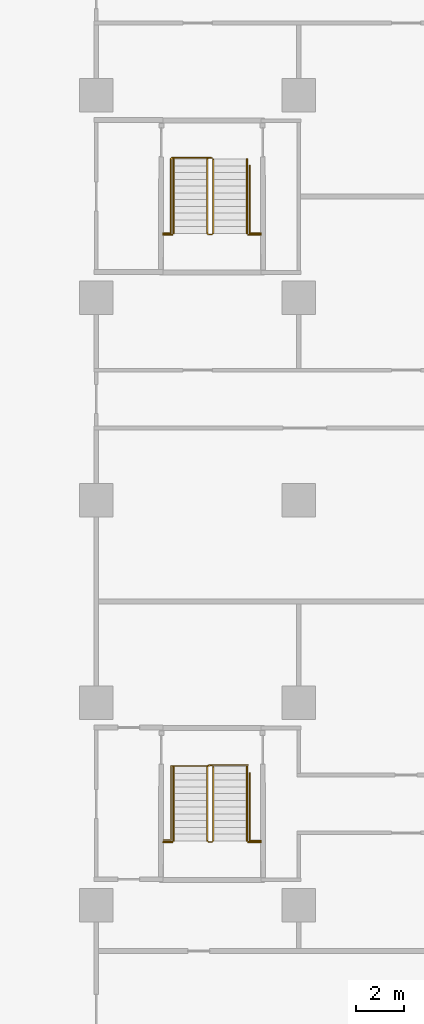
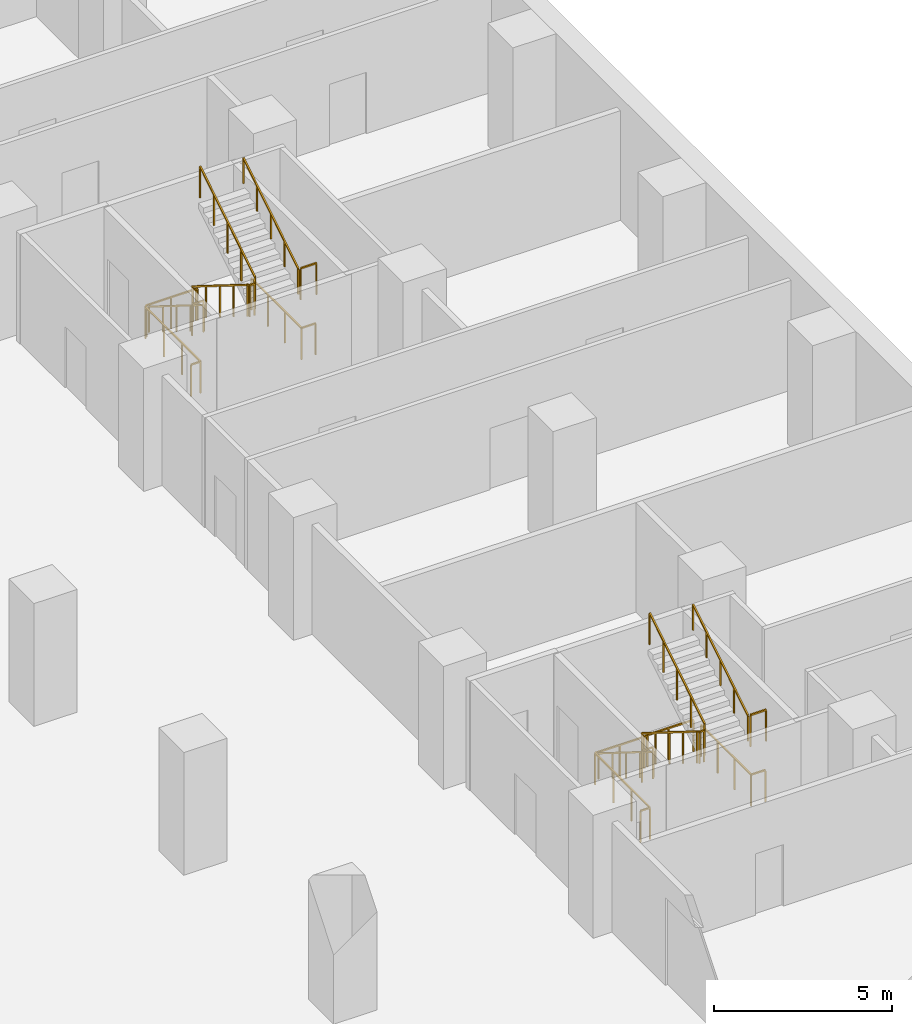
# One storey, part 15 of 17: 14 railings.
"""IFC4 building model written with IfcOpenShell, lengths in metres."""

from ifc_helpers import new_model, si_unit, direction, frame, origin, origin_2d, place, context, subcontext, project, spatial, rectangle, extrude, material, type_object, element, save


model = new_model("IFC4")

# Units and contexts
model_context = context("Model", 3, precision=1e-05, world=origin(), true_north=direction((0.0, 1.0)))
body_context = subcontext(model_context, "Body", "Model", "MODEL_VIEW")
ifc_project = project(units=[si_unit("LENGTHUNIT", "METRE"), si_unit("AREAUNIT", "SQUARE_METRE"), si_unit("VOLUMEUNIT", "CUBIC_METRE"), si_unit("PLANEANGLEUNIT", "RADIAN"), si_unit("MASSUNIT", "GRAM", prefix="KILO")], contexts=[model_context])

# Site, building, storey
site_placement = place(None, origin())
site = spatial("IfcSite", under=ifc_project, at=site_placement, CompositionType="ELEMENT")
building_placement = place(site_placement, origin())
building = spatial("IfcBuilding", under=site, at=building_placement, Name="Vermilion Ogive Tower", CompositionType="ELEMENT")
storey_placement = place(building_placement, frame((0.0, 0.0, -4.199951171875)))
storey = spatial("IfcBuildingStorey", under=building, at=storey_placement, Name="B1", CompositionType="ELEMENT", Elevation=-4.199951171875)

# Railings
ifc_material_1 = material(Name="Steel S355 painted", Category="steel")
railing_type_1 = type_object("IfcRailingType", Name="Stair guard 1100", PredefinedType="GUARDRAIL", material=ifc_material_1)
railing_1_placement = place(storey_placement, frame((46.800048828125, 1.60009765625, 0.0)))
element("IfcRailing", 1, at=railing_1_placement, inside=storey, type_object=railing_type_1, Name="B1 PEC stair guard 4", PredefinedType="GUARDRAIL", context=body_context, shape_type="SweptSolid", body=[
    extrude(rectangle(XDim=0.048095703125, YDim=0.048095703125, at=origin_2d()), frame((0.0, 0.0, 1.076171875), z_axis=(-1.0, 0.0, 0.0), x_axis=(0.0, -1.0, 0.0)), (0.0, 0.0, 1.0), 0.150146484375),
    extrude(rectangle(XDim=0.048095703125, YDim=0.048095703125, at=origin_2d()), frame((-0.150146484375, 0.0, 1.076171875), z_axis=(-0.263862480399, -0.265155923931, 0.927399011991), x_axis=(0.708833529934, -0.705375805398, 0.0)), (0.0, 0.0, 1.0), 0.188720703125),
    extrude(rectangle(XDim=0.048095703125, YDim=0.048095703125, at=origin_2d()), frame((-0.199951171875, -0.050048828125, 1.2509765625), z_axis=(0.0, -0.848028513186, 0.529950602248), x_axis=(1.0, 0.0, 0.0)), (0.0, 0.0, 1.0), 3.632080078125),
    extrude(rectangle(XDim=0.048095703125, YDim=0.048095703125, at=origin_2d()), frame((-0.199951171875, -3.130126953125, 3.17578125), z_axis=(0.705375805398, -0.708833529934, 0.0), x_axis=(0.708833529934, 0.705375805398, 0.0)), (0.0, 0.0, 1.0), 0.070556640625),
    extrude(rectangle(XDim=0.048095703125, YDim=0.048095703125, at=origin_2d()), frame((-0.150146484375, -3.18017578125, 3.17578125), z_axis=(1.0, 0.0, 0.0), x_axis=(0.0, 1.0, 0.0)), (0.0, 0.0, 1.0), 0.150146484375),
    extrude(rectangle(XDim=0.048095703125, YDim=0.048095703125, at=origin_2d()), frame((0.0, -3.18017578125, 3.17578125), z_axis=(0.265065253269, 0.265065253269, 0.927081885822), x_axis=(-0.707106781187, 0.707106781187, 0.0)), (0.0, 0.0, 1.0), 0.188720703125),
    extrude(rectangle(XDim=0.048095703125, YDim=0.048095703125, at=origin_2d()), frame((0.050048828125, -3.130126953125, 3.35107421875), z_axis=(0.0, 0.847998304005, 0.529998940003), x_axis=(-1.0, 0.0, 0.0)), (0.0, 0.0, 1.0), 3.632080078125),
    extrude(rectangle(XDim=0.0419921875, YDim=0.0419921875, at=origin_2d()), origin(), (0.0, 0.0, 1.0), 1.052001953125),
    extrude(rectangle(XDim=0.0419921875, YDim=0.0419921875, at=origin_2d()), frame((-0.150146484375, 0.0, 0.0)), (0.0, 0.0, 1.0), 1.052001953125),
    extrude(rectangle(XDim=0.0419921875, YDim=0.0419921875, at=origin_2d()), frame((-0.199951171875, -0.050048828125, 0.175048828125)), (0.0, 0.0, 1.0), 1.052001953125),
    extrude(rectangle(XDim=0.0419921875, YDim=0.0419921875, at=origin_2d()), frame((-0.199951171875, -0.820068359375, 0.65625)), (0.0, 0.0, 1.0), 1.052001953125),
    extrude(rectangle(XDim=0.0419921875, YDim=0.0419921875, at=origin_2d()), frame((-0.199951171875, -1.590087890625, 1.137451171875)), (0.0, 0.0, 1.0), 1.052001953125),
    extrude(rectangle(XDim=0.0419921875, YDim=0.0419921875, at=origin_2d()), frame((-0.199951171875, -2.360107421875, 1.61865234375)), (0.0, 0.0, 1.0), 1.052001953125),
    extrude(rectangle(XDim=0.0419921875, YDim=0.0419921875, at=origin_2d()), frame((-0.199951171875, -3.130126953125, 2.099853515625)), (0.0, 0.0, 1.0), 1.052001953125),
    extrude(rectangle(XDim=0.0419921875, YDim=0.0419921875, at=origin_2d()), frame((-0.150146484375, -3.18017578125, 2.099853515625)), (0.0, 0.0, 1.0), 1.052001953125),
    extrude(rectangle(XDim=0.0419921875, YDim=0.0419921875, at=origin_2d()), frame((0.0, -3.18017578125, 2.099853515625)), (0.0, 0.0, 1.0), 1.052001953125),
    extrude(rectangle(XDim=0.0419921875, YDim=0.0419921875, at=origin_2d()), frame((0.050048828125, -3.130126953125, 2.27490234375)), (0.0, 0.0, 1.0), 1.052001953125),
    extrude(rectangle(XDim=0.0419921875, YDim=0.0419921875, at=origin_2d()), frame((0.050048828125, -2.360107421875, 2.756103515625)), (0.0, 0.0, 1.0), 1.052001953125),
    extrude(rectangle(XDim=0.0419921875, YDim=0.0419921875, at=origin_2d()), frame((0.050048828125, -1.590087890625, 3.2373046875)), (0.0, 0.0, 1.0), 1.052001953125),
    extrude(rectangle(XDim=0.0419921875, YDim=0.0419921875, at=origin_2d()), frame((0.050048828125, -0.820068359375, 3.71875)), (0.0, 0.0, 1.0), 1.052001953125),
    extrude(rectangle(XDim=0.0419921875, YDim=0.0419921875, at=origin_2d()), frame((0.050048828125, -0.050048828125, 4.199951171875)), (0.0, 0.0, 1.0), 1.052001953125),
])
railing_2_placement = place(storey_placement, frame((46.800048828125, -23.60009765625, 0.0)))
element("IfcRailing", 2, at=railing_2_placement, inside=storey, type_object=railing_type_1, Name="B1 PES stair guard 4", PredefinedType="GUARDRAIL", context=body_context, shape_type="SweptSolid", body=[
    extrude(rectangle(XDim=0.048095703125, YDim=0.048095703125, at=origin_2d()), frame((0.0, 0.0, 1.076171875), z_axis=(-1.0, 0.0, 0.0), x_axis=(0.0, -1.0, 0.0)), (0.0, 0.0, 1.0), 0.150146484375),
    extrude(rectangle(XDim=0.048095703125, YDim=0.048095703125, at=origin_2d()), frame((-0.150146484375, 0.0, 1.076171875), z_axis=(-0.263952801422, -0.263952801422, 0.92771646382), x_axis=(0.707106781187, -0.707106781187, 0.0)), (0.0, 0.0, 1.0), 0.188720703125),
    extrude(rectangle(XDim=0.048095703125, YDim=0.048095703125, at=origin_2d()), frame((-0.199951171875, -0.0498046875, 1.2509765625), z_axis=(0.0, -0.848028513186, 0.529950602248), x_axis=(1.0, 0.0, 0.0)), (0.0, 0.0, 1.0), 3.632080078125),
    extrude(rectangle(XDim=0.048095703125, YDim=0.048095703125, at=origin_2d()), frame((-0.199951171875, -3.1298828125, 3.17578125), z_axis=(0.705375805398, -0.708833529934, 0.0), x_axis=(0.708833529934, 0.705375805398, 0.0)), (0.0, 0.0, 1.0), 0.070556640625),
    extrude(rectangle(XDim=0.048095703125, YDim=0.048095703125, at=origin_2d()), frame((-0.150146484375, -3.179931640625, 3.17578125), z_axis=(1.0, 0.0, 0.0), x_axis=(0.0, 1.0, 0.0)), (0.0, 0.0, 1.0), 0.150146484375),
    extrude(rectangle(XDim=0.048095703125, YDim=0.048095703125, at=origin_2d()), frame((0.0, -3.179931640625, 3.17578125), z_axis=(0.265065253269, 0.265065253269, 0.927081885822), x_axis=(-0.707106781187, 0.707106781187, 0.0)), (0.0, 0.0, 1.0), 0.188720703125),
    extrude(rectangle(XDim=0.048095703125, YDim=0.048095703125, at=origin_2d()), frame((0.050048828125, -3.1298828125, 3.35107421875), z_axis=(0.0, 0.847998304005, 0.529998940003), x_axis=(-1.0, 0.0, 0.0)), (0.0, 0.0, 1.0), 3.632080078125),
    extrude(rectangle(XDim=0.0419921875, YDim=0.0419921875, at=origin_2d()), origin(), (0.0, 0.0, 1.0), 1.052001953125),
    extrude(rectangle(XDim=0.0419921875, YDim=0.0419921875, at=origin_2d()), frame((-0.150146484375, 0.0, 0.0)), (0.0, 0.0, 1.0), 1.052001953125),
    extrude(rectangle(XDim=0.0419921875, YDim=0.0419921875, at=origin_2d()), frame((-0.199951171875, -0.0498046875, 0.175048828125)), (0.0, 0.0, 1.0), 1.052001953125),
    extrude(rectangle(XDim=0.0419921875, YDim=0.0419921875, at=origin_2d()), frame((-0.199951171875, -0.81982421875, 0.65625)), (0.0, 0.0, 1.0), 1.052001953125),
    extrude(rectangle(XDim=0.0419921875, YDim=0.0419921875, at=origin_2d()), frame((-0.199951171875, -1.58984375, 1.137451171875)), (0.0, 0.0, 1.0), 1.052001953125),
    extrude(rectangle(XDim=0.0419921875, YDim=0.0419921875, at=origin_2d()), frame((-0.199951171875, -2.35986328125, 1.61865234375)), (0.0, 0.0, 1.0), 1.052001953125),
    extrude(rectangle(XDim=0.0419921875, YDim=0.0419921875, at=origin_2d()), frame((-0.199951171875, -3.1298828125, 2.099853515625)), (0.0, 0.0, 1.0), 1.052001953125),
    extrude(rectangle(XDim=0.0419921875, YDim=0.0419921875, at=origin_2d()), frame((-0.150146484375, -3.179931640625, 2.099853515625)), (0.0, 0.0, 1.0), 1.052001953125),
    extrude(rectangle(XDim=0.0419921875, YDim=0.0419921875, at=origin_2d()), frame((0.0, -3.179931640625, 2.099853515625)), (0.0, 0.0, 1.0), 1.052001953125),
    extrude(rectangle(XDim=0.0419921875, YDim=0.0419921875, at=origin_2d()), frame((0.050048828125, -3.1298828125, 2.27490234375)), (0.0, 0.0, 1.0), 1.052001953125),
    extrude(rectangle(XDim=0.0419921875, YDim=0.0419921875, at=origin_2d()), frame((0.050048828125, -2.35986328125, 2.756103515625)), (0.0, 0.0, 1.0), 1.052001953125),
    extrude(rectangle(XDim=0.0419921875, YDim=0.0419921875, at=origin_2d()), frame((0.050048828125, -1.58984375, 3.2373046875)), (0.0, 0.0, 1.0), 1.052001953125),
    extrude(rectangle(XDim=0.0419921875, YDim=0.0419921875, at=origin_2d()), frame((0.050048828125, -0.81982421875, 3.71875)), (0.0, 0.0, 1.0), 1.052001953125),
    extrude(rectangle(XDim=0.0419921875, YDim=0.0419921875, at=origin_2d()), frame((0.050048828125, -0.0498046875, 4.199951171875)), (0.0, 0.0, 1.0), 1.052001953125),
])
railing_3_placement = place(storey_placement, frame((44.787353515625, -1.580078125, 2.099853515625)))
element("IfcRailing", 3, at=railing_3_placement, inside=storey, type_object=railing_type_1, Name="B1 landing guard", PredefinedType="GUARDRAIL", context=body_context, shape_type="SweptSolid", body=[
    extrude(rectangle(XDim=0.048095703125, YDim=0.048095703125, at=origin_2d()), frame((0.0, 0.0, 1.076171875), z_axis=(1.0, 0.0, 0.0), x_axis=(0.0, 1.0, 0.0)), (0.0, 0.0, 1.0), 0.362548828125),
    extrude(rectangle(XDim=0.0419921875, YDim=0.0419921875, at=origin_2d()), origin(), (0.0, 0.0, 1.0), 1.052001953125),
    extrude(rectangle(XDim=0.0419921875, YDim=0.0419921875, at=origin_2d()), frame((0.362548828125, 0.0, 0.0)), (0.0, 0.0, 1.0), 1.052001953125),
])
railing_4_placement = place(storey_placement, frame((48.300048828125, -1.580078125, 2.099853515625)))
element("IfcRailing", 4, at=railing_4_placement, inside=storey, type_object=railing_type_1, Name="B1 landing guard", PredefinedType="GUARDRAIL", context=body_context, shape_type="SweptSolid", body=[
    extrude(rectangle(XDim=0.048095703125, YDim=0.048095703125, at=origin_2d()), frame((0.0, 0.0, 1.076171875), z_axis=(1.0, 0.0, 0.0), x_axis=(0.0, 1.0, 0.0)), (0.0, 0.0, 1.0), 0.512451171875),
    extrude(rectangle(XDim=0.0419921875, YDim=0.0419921875, at=origin_2d()), origin(), (0.0, 0.0, 1.0), 1.052001953125),
    extrude(rectangle(XDim=0.0419921875, YDim=0.0419921875, at=origin_2d()), frame((0.512451171875, 0.0, 0.0)), (0.0, 0.0, 1.0), 1.052001953125),
])
railing_5_placement = place(storey_placement, frame((44.787353515625, -26.780029296875, 2.099853515625)))
element("IfcRailing", 5, at=railing_5_placement, inside=storey, type_object=railing_type_1, Name="B1 landing guard", PredefinedType="GUARDRAIL", context=body_context, shape_type="SweptSolid", body=[
    extrude(rectangle(XDim=0.048095703125, YDim=0.048095703125, at=origin_2d()), frame((0.0, 0.0, 1.076171875), z_axis=(1.0, 0.0, 0.0), x_axis=(0.0, 1.0, 0.0)), (0.0, 0.0, 1.0), 0.362548828125),
    extrude(rectangle(XDim=0.0419921875, YDim=0.0419921875, at=origin_2d()), origin(), (0.0, 0.0, 1.0), 1.052001953125),
    extrude(rectangle(XDim=0.0419921875, YDim=0.0419921875, at=origin_2d()), frame((0.362548828125, 0.0, 0.0)), (0.0, 0.0, 1.0), 1.052001953125),
])
railing_6_placement = place(storey_placement, frame((48.300048828125, -26.780029296875, 2.099853515625)))
element("IfcRailing", 6, at=railing_6_placement, inside=storey, type_object=railing_type_1, Name="B1 landing guard", PredefinedType="GUARDRAIL", context=body_context, shape_type="SweptSolid", body=[
    extrude(rectangle(XDim=0.048095703125, YDim=0.048095703125, at=origin_2d()), frame((0.0, 0.0, 1.076171875), z_axis=(1.0, 0.0, 0.0), x_axis=(0.0, 1.0, 0.0)), (0.0, 0.0, 1.0), 0.512451171875),
    extrude(rectangle(XDim=0.0419921875, YDim=0.0419921875, at=origin_2d()), origin(), (0.0, 0.0, 1.0), 1.052001953125),
    extrude(rectangle(XDim=0.0419921875, YDim=0.0419921875, at=origin_2d()), frame((0.512451171875, 0.0, 0.0)), (0.0, 0.0, 1.0), 1.052001953125),
])
railing_7_placement = place(storey_placement, frame((48.359375, 1.2841796875, 0.0)))
element("IfcRailing", 7, at=railing_7_placement, inside=storey, type_object=railing_type_1, Name="B1 stair opening guard", PredefinedType="GUARDRAIL", context=body_context, shape_type="SweptSolid", body=[
    extrude(rectangle(XDim=0.048095703125, YDim=0.048095703125, at=origin_2d()), frame((0.0, 0.0, 1.076171875), z_axis=(0.0, -1.0, 0.0), x_axis=(1.0, 0.0, 0.0)), (0.0, 0.0, 1.0), 2.804443359375),
    extrude(rectangle(XDim=0.048095703125, YDim=0.048095703125, at=origin_2d()), frame((0.0, -2.804443359375, 1.076171875), z_axis=(1.0, 0.0, 0.0), x_axis=(0.0, 1.0, 0.0)), (0.0, 0.0, 1.0), 0.45849609375),
    extrude(rectangle(XDim=0.0419921875, YDim=0.0419921875, at=origin_2d()), origin(), (0.0, 0.0, 1.0), 1.052001953125),
    extrude(rectangle(XDim=0.0419921875, YDim=0.0419921875, at=origin_2d()), frame((0.0, -0.934814453125, 0.0)), (0.0, 0.0, 1.0), 1.052001953125),
    extrude(rectangle(XDim=0.0419921875, YDim=0.0419921875, at=origin_2d()), frame((0.0, -1.86962890625, 0.0)), (0.0, 0.0, 1.0), 1.052001953125),
    extrude(rectangle(XDim=0.0419921875, YDim=0.0419921875, at=origin_2d()), frame((0.0, -2.804443359375, 0.0)), (0.0, 0.0, 1.0), 1.052001953125),
    extrude(rectangle(XDim=0.0419921875, YDim=0.0419921875, at=origin_2d()), frame((0.45849609375, -2.804443359375, 0.0)), (0.0, 0.0, 1.0), 1.052001953125),
])
railing_8_placement = place(storey_placement, frame((44.781494140625, -1.52392578125, 0.0)))
element("IfcRailing", 8, at=railing_8_placement, inside=storey, type_object=railing_type_1, Name="B1 stair opening guard", PredefinedType="GUARDRAIL", context=body_context, shape_type="SweptSolid", body=[
    extrude(rectangle(XDim=0.048095703125, YDim=0.048095703125, at=origin_2d()), frame((0.0, 0.0, 1.076171875), z_axis=(1.0, 0.0, 0.0), x_axis=(0.0, 1.0, 0.0)), (0.0, 0.0, 1.0), 0.30859375),
    extrude(rectangle(XDim=0.048095703125, YDim=0.048095703125, at=origin_2d()), frame((0.30859375, 0.0, 1.076171875), z_axis=(0.0, 1.0, 0.0), x_axis=(-1.0, 0.0, 0.0)), (0.0, 0.0, 1.0), 3.079833984375),
    extrude(rectangle(XDim=0.048095703125, YDim=0.048095703125, at=origin_2d()), frame((0.30859375, 3.079833984375, 1.076171875), z_axis=(0.741033981375, 0.671467525981, 0.0), x_axis=(-0.671467525981, 0.741033981375, 0.0)), (0.0, 0.0, 1.0), 0.080810546875),
    extrude(rectangle(XDim=0.048095703125, YDim=0.048095703125, at=origin_2d()), frame((0.368408203125, 3.134033203125, 1.076171875), z_axis=(1.0, 0.0, 0.0), x_axis=(0.0, 1.0, 0.0)), (0.0, 0.0, 1.0), 1.60009765625),
    extrude(rectangle(XDim=0.0419921875, YDim=0.0419921875, at=origin_2d()), origin(), (0.0, 0.0, 1.0), 1.052001953125),
    extrude(rectangle(XDim=0.0419921875, YDim=0.0419921875, at=origin_2d()), frame((0.30859375, 0.0, 0.0)), (0.0, 0.0, 1.0), 1.052001953125),
    extrude(rectangle(XDim=0.0419921875, YDim=0.0419921875, at=origin_2d()), frame((0.30859375, 1.026611328125, 0.0)), (0.0, 0.0, 1.0), 1.052001953125),
    extrude(rectangle(XDim=0.0419921875, YDim=0.0419921875, at=origin_2d()), frame((0.30859375, 2.05322265625, 0.0)), (0.0, 0.0, 1.0), 1.052001953125),
    extrude(rectangle(XDim=0.0419921875, YDim=0.0419921875, at=origin_2d()), frame((0.30859375, 3.079833984375, 0.0)), (0.0, 0.0, 1.0), 1.052001953125),
    extrude(rectangle(XDim=0.0419921875, YDim=0.0419921875, at=origin_2d()), frame((0.368408203125, 3.134033203125, 0.0)), (0.0, 0.0, 1.0), 1.052001953125),
    extrude(rectangle(XDim=0.0419921875, YDim=0.0419921875, at=origin_2d()), frame((1.16845703125, 3.134033203125, 0.0)), (0.0, 0.0, 1.0), 1.052001953125),
    extrude(rectangle(XDim=0.0419921875, YDim=0.0419921875, at=origin_2d()), frame((1.968505859375, 3.134033203125, 0.0)), (0.0, 0.0, 1.0), 1.052001953125),
])
railing_9_placement = place(storey_placement, frame((48.359375, -23.916015625, 0.0)))
element("IfcRailing", 9, at=railing_9_placement, inside=storey, type_object=railing_type_1, Name="B1 stair opening guard", PredefinedType="GUARDRAIL", context=body_context, shape_type="SweptSolid", body=[
    extrude(rectangle(XDim=0.048095703125, YDim=0.048095703125, at=origin_2d()), frame((0.0, 0.0, 1.076171875), z_axis=(0.0, -1.0, 0.0), x_axis=(1.0, 0.0, 0.0)), (0.0, 0.0, 1.0), 2.80419921875),
    extrude(rectangle(XDim=0.048095703125, YDim=0.048095703125, at=origin_2d()), frame((0.0, -2.80419921875, 1.076171875), z_axis=(1.0, 0.0, 0.0), x_axis=(0.0, 1.0, 0.0)), (0.0, 0.0, 1.0), 0.45849609375),
    extrude(rectangle(XDim=0.0419921875, YDim=0.0419921875, at=origin_2d()), origin(), (0.0, 0.0, 1.0), 1.052001953125),
    extrude(rectangle(XDim=0.0419921875, YDim=0.0419921875, at=origin_2d()), frame((0.0, -0.934814453125, 0.0)), (0.0, 0.0, 1.0), 1.052001953125),
    extrude(rectangle(XDim=0.0419921875, YDim=0.0419921875, at=origin_2d()), frame((0.0, -1.869384765625, 0.0)), (0.0, 0.0, 1.0), 1.052001953125),
    extrude(rectangle(XDim=0.0419921875, YDim=0.0419921875, at=origin_2d()), frame((0.0, -2.80419921875, 0.0)), (0.0, 0.0, 1.0), 1.052001953125),
    extrude(rectangle(XDim=0.0419921875, YDim=0.0419921875, at=origin_2d()), frame((0.45849609375, -2.80419921875, 0.0)), (0.0, 0.0, 1.0), 1.052001953125),
])
railing_10_placement = place(storey_placement, frame((44.790283203125, -26.698486328125, 0.0)))
element("IfcRailing", 10, at=railing_10_placement, inside=storey, type_object=railing_type_1, Name="B1 stair opening guard", PredefinedType="GUARDRAIL", context=body_context, shape_type="SweptSolid", body=[
    extrude(rectangle(XDim=0.048095703125, YDim=0.048095703125, at=origin_2d()), frame((0.0, 0.0, 1.076171875), z_axis=(1.0, 0.0, 0.0), x_axis=(0.0, 1.0, 0.0)), (0.0, 0.0, 1.0), 0.30859375),
    extrude(rectangle(XDim=0.048095703125, YDim=0.048095703125, at=origin_2d()), frame((0.30859375, 0.0, 1.076171875), z_axis=(0.0, 1.0, 0.0), x_axis=(-1.0, 0.0, 0.0)), (0.0, 0.0, 1.0), 3.080078125),
    extrude(rectangle(XDim=0.048095703125, YDim=0.048095703125, at=origin_2d()), frame((0.30859375, 3.080078125, 1.076171875), z_axis=(1.0, 0.0, 0.0), x_axis=(0.0, 1.0, 0.0)), (0.0, 0.0, 1.0), 1.60009765625),
    extrude(rectangle(XDim=0.048095703125, YDim=0.048095703125, at=origin_2d()), frame((1.90869140625, 3.080078125, 1.076171875), z_axis=(0.034168071828, 0.999416100965, 0.0), x_axis=(-0.999416100965, 0.034168071828, 0.0)), (0.0, 0.0, 1.0), 0.028564453125),
    extrude(rectangle(XDim=0.048095703125, YDim=0.048095703125, at=origin_2d()), frame((1.90966796875, 3.108642578125, 1.076171875), z_axis=(1.0, 0.0, 0.0), x_axis=(0.0, 1.0, 0.0)), (0.0, 0.0, 1.0), 1.60009765625),
    extrude(rectangle(XDim=0.0419921875, YDim=0.0419921875, at=origin_2d()), origin(), (0.0, 0.0, 1.0), 1.052001953125),
    extrude(rectangle(XDim=0.0419921875, YDim=0.0419921875, at=origin_2d()), frame((0.30859375, 0.0, 0.0)), (0.0, 0.0, 1.0), 1.052001953125),
    extrude(rectangle(XDim=0.0419921875, YDim=0.0419921875, at=origin_2d()), frame((0.30859375, 1.026611328125, 0.0)), (0.0, 0.0, 1.0), 1.052001953125),
    extrude(rectangle(XDim=0.0419921875, YDim=0.0419921875, at=origin_2d()), frame((0.30859375, 2.053466796875, 0.0)), (0.0, 0.0, 1.0), 1.052001953125),
    extrude(rectangle(XDim=0.0419921875, YDim=0.0419921875, at=origin_2d()), frame((0.30859375, 3.080078125, 0.0)), (0.0, 0.0, 1.0), 1.052001953125),
    extrude(rectangle(XDim=0.0419921875, YDim=0.0419921875, at=origin_2d()), frame((1.108642578125, 3.080078125, 0.0)), (0.0, 0.0, 1.0), 1.052001953125),
    extrude(rectangle(XDim=0.0419921875, YDim=0.0419921875, at=origin_2d()), frame((1.90869140625, 3.080078125, 0.0)), (0.0, 0.0, 1.0), 1.052001953125),
    extrude(rectangle(XDim=0.0419921875, YDim=0.0419921875, at=origin_2d()), frame((1.90966796875, 3.108642578125, 0.0)), (0.0, 0.0, 1.0), 1.052001953125),
    extrude(rectangle(XDim=0.0419921875, YDim=0.0419921875, at=origin_2d()), frame((2.709716796875, 3.108642578125, 0.0)), (0.0, 0.0, 1.0), 1.052001953125),
    extrude(rectangle(XDim=0.0419921875, YDim=0.0419921875, at=origin_2d()), frame((3.509765625, 3.108642578125, 0.0)), (0.0, 0.0, 1.0), 1.052001953125),
])
ifc_material_2 = material(Name="Stainless steel", Category="steel")
railing_type_2 = type_object("IfcRailingType", Name="Stair handrail 900", PredefinedType="HANDRAIL", material=ifc_material_2)
railing_11_placement = place(storey_placement, frame((45.199951171875, 1.550048828125, 0.175048828125)))
element("IfcRailing", 11, at=railing_11_placement, inside=storey, type_object=railing_type_2, Name="B1 PEC stair handrail 1", PredefinedType="HANDRAIL", context=body_context, shape_type="SweptSolid", body=[
    extrude(rectangle(XDim=0.048095703125, YDim=0.048095703125, at=origin_2d()), frame((0.0, 0.0, 0.8759765625), z_axis=(0.0, -0.848028513186, 0.529950602248), x_axis=(1.0, 0.0, 0.0)), (0.0, 0.0, 1.0), 3.632080078125),
    extrude(rectangle(XDim=0.0419921875, YDim=0.0419921875, at=origin_2d()), origin(), (0.0, 0.0, 1.0), 0.851806640625),
    extrude(rectangle(XDim=0.0419921875, YDim=0.0419921875, at=origin_2d()), frame((0.0, -0.77001953125, 0.481201171875)), (0.0, 0.0, 1.0), 0.851806640625),
    extrude(rectangle(XDim=0.0419921875, YDim=0.0419921875, at=origin_2d()), frame((0.0, -1.5400390625, 0.96240234375)), (0.0, 0.0, 1.0), 0.851806640625),
    extrude(rectangle(XDim=0.0419921875, YDim=0.0419921875, at=origin_2d()), frame((0.0, -2.31005859375, 1.443603515625)), (0.0, 0.0, 1.0), 0.851806640625),
    extrude(rectangle(XDim=0.0419921875, YDim=0.0419921875, at=origin_2d()), frame((0.0, -3.080078125, 1.9248046875)), (0.0, 0.0, 1.0), 0.851806640625),
])
railing_12_placement = place(storey_placement, frame((48.25, -1.530029296875, 2.27490234375)))
element("IfcRailing", 12, at=railing_12_placement, inside=storey, type_object=railing_type_2, Name="B1 PEC stair handrail 2", PredefinedType="HANDRAIL", context=body_context, shape_type="SweptSolid", body=[
    extrude(rectangle(XDim=0.048095703125, YDim=0.048095703125, at=origin_2d()), frame((0.0, 0.0, 0.8759765625), z_axis=(0.0, 0.847998304005, 0.529998940003), x_axis=(-1.0, 0.0, 0.0)), (0.0, 0.0, 1.0), 3.632080078125),
    extrude(rectangle(XDim=0.0419921875, YDim=0.0419921875, at=origin_2d()), origin(), (0.0, 0.0, 1.0), 0.851806640625),
    extrude(rectangle(XDim=0.0419921875, YDim=0.0419921875, at=origin_2d()), frame((0.0, 0.77001953125, 0.481201171875)), (0.0, 0.0, 1.0), 0.851806640625),
    extrude(rectangle(XDim=0.0419921875, YDim=0.0419921875, at=origin_2d()), frame((0.0, 1.5400390625, 0.96240234375)), (0.0, 0.0, 1.0), 0.851806640625),
    extrude(rectangle(XDim=0.0419921875, YDim=0.0419921875, at=origin_2d()), frame((0.0, 2.31005859375, 1.44384765625)), (0.0, 0.0, 1.0), 0.851806640625),
    extrude(rectangle(XDim=0.0419921875, YDim=0.0419921875, at=origin_2d()), frame((0.0, 3.080078125, 1.925048828125)), (0.0, 0.0, 1.0), 0.851806640625),
])
railing_13_placement = place(storey_placement, frame((45.199951171875, -23.64990234375, 0.175048828125)))
element("IfcRailing", 13, at=railing_13_placement, inside=storey, type_object=railing_type_2, Name="B1 PES stair handrail 1", PredefinedType="HANDRAIL", context=body_context, shape_type="SweptSolid", body=[
    extrude(rectangle(XDim=0.048095703125, YDim=0.048095703125, at=origin_2d()), frame((0.0, 0.0, 0.8759765625), z_axis=(0.0, -0.848028513186, 0.529950602248), x_axis=(1.0, 0.0, 0.0)), (0.0, 0.0, 1.0), 3.632080078125),
    extrude(rectangle(XDim=0.0419921875, YDim=0.0419921875, at=origin_2d()), origin(), (0.0, 0.0, 1.0), 0.851806640625),
    extrude(rectangle(XDim=0.0419921875, YDim=0.0419921875, at=origin_2d()), frame((0.0, -0.77001953125, 0.481201171875)), (0.0, 0.0, 1.0), 0.851806640625),
    extrude(rectangle(XDim=0.0419921875, YDim=0.0419921875, at=origin_2d()), frame((0.0, -1.5400390625, 0.96240234375)), (0.0, 0.0, 1.0), 0.851806640625),
    extrude(rectangle(XDim=0.0419921875, YDim=0.0419921875, at=origin_2d()), frame((0.0, -2.31005859375, 1.443603515625)), (0.0, 0.0, 1.0), 0.851806640625),
    extrude(rectangle(XDim=0.0419921875, YDim=0.0419921875, at=origin_2d()), frame((0.0, -3.080078125, 1.9248046875)), (0.0, 0.0, 1.0), 0.851806640625),
])
railing_14_placement = place(storey_placement, frame((48.25, -26.72998046875, 2.27490234375)))
element("IfcRailing", 14, at=railing_14_placement, inside=storey, type_object=railing_type_2, Name="B1 PES stair handrail 2", PredefinedType="HANDRAIL", context=body_context, shape_type="SweptSolid", body=[
    extrude(rectangle(XDim=0.048095703125, YDim=0.048095703125, at=origin_2d()), frame((0.0, 0.0, 0.8759765625), z_axis=(0.0, 0.847998304005, 0.529998940003), x_axis=(-1.0, 0.0, 0.0)), (0.0, 0.0, 1.0), 3.632080078125),
    extrude(rectangle(XDim=0.0419921875, YDim=0.0419921875, at=origin_2d()), origin(), (0.0, 0.0, 1.0), 0.851806640625),
    extrude(rectangle(XDim=0.0419921875, YDim=0.0419921875, at=origin_2d()), frame((0.0, 0.77001953125, 0.481201171875)), (0.0, 0.0, 1.0), 0.851806640625),
    extrude(rectangle(XDim=0.0419921875, YDim=0.0419921875, at=origin_2d()), frame((0.0, 1.5400390625, 0.96240234375)), (0.0, 0.0, 1.0), 0.851806640625),
    extrude(rectangle(XDim=0.0419921875, YDim=0.0419921875, at=origin_2d()), frame((0.0, 2.31005859375, 1.44384765625)), (0.0, 0.0, 1.0), 0.851806640625),
    extrude(rectangle(XDim=0.0419921875, YDim=0.0419921875, at=origin_2d()), frame((0.0, 3.080078125, 1.925048828125)), (0.0, 0.0, 1.0), 0.851806640625),
])

save(model, "model.ifc")
